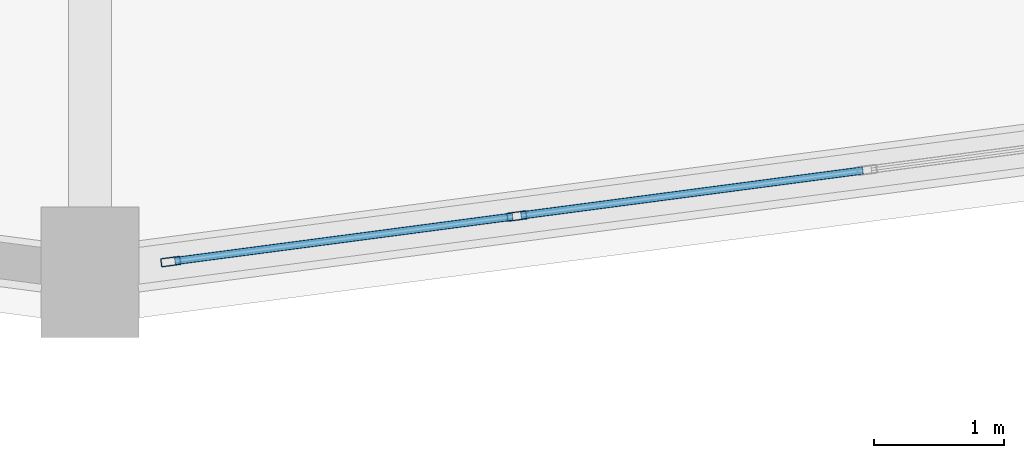
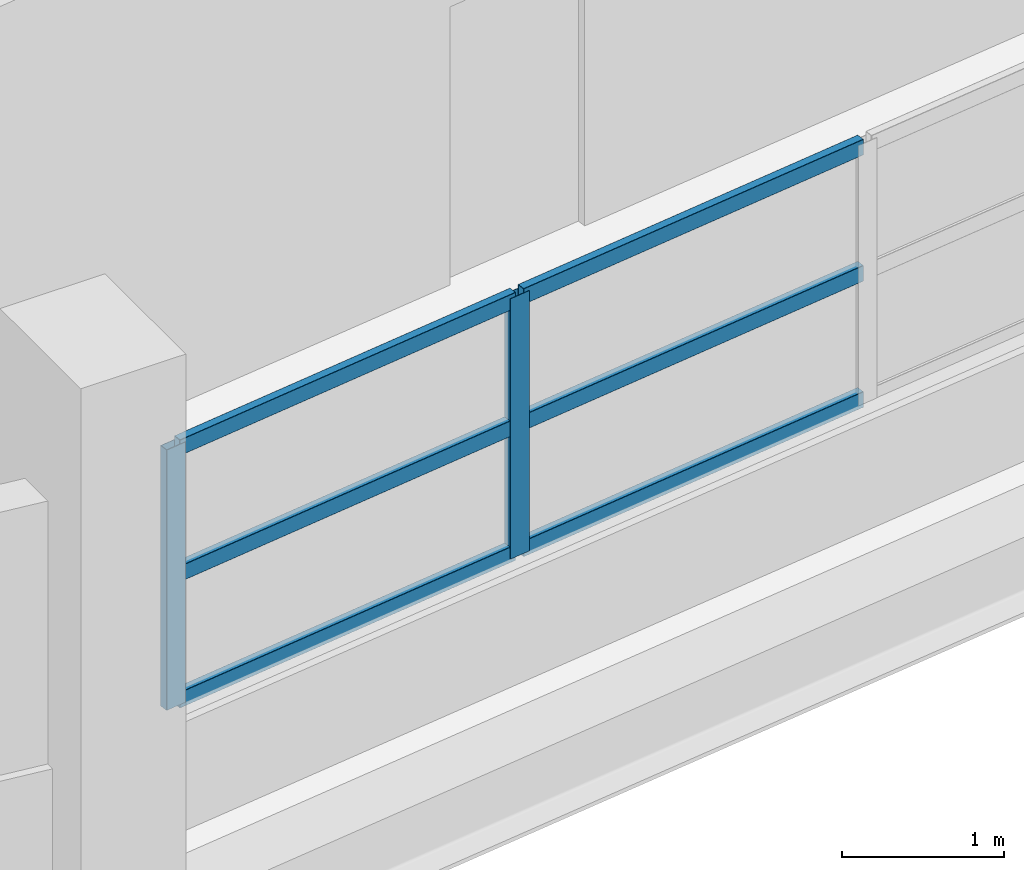
# One storey, part 36 of 108: 8 members, 1 element without a shape of its own.
"""IFC4 building model written with IfcOpenShell, lengths in metres."""

from ifc_helpers import new_model, si_unit, direction, frame, origin, origin_2d, place, context, subcontext, project, spatial, hollow_rectangle, extrude, material, layer, layer_set, material_profile, profile_set, type_object, element, aggregate, save


model = new_model("IFC4")

# Units and contexts
model_context = context("Model", 3, precision=1e-05, world=origin(), true_north=direction((0.0, 1.0)))
body_context = subcontext(model_context, "Body", "Model", "MODEL_VIEW")
ifc_project = project(units=[si_unit("LENGTHUNIT", "METRE"), si_unit("AREAUNIT", "SQUARE_METRE"), si_unit("VOLUMEUNIT", "CUBIC_METRE"), si_unit("PLANEANGLEUNIT", "RADIAN"), si_unit("MASSUNIT", "GRAM", prefix="KILO")], contexts=[model_context])

# Site, building, storey
site_placement = place(None, origin())
site = spatial("IfcSite", under=ifc_project, at=site_placement, CompositionType="ELEMENT")
building_placement = place(site_placement, origin())
building = spatial("IfcBuilding", under=site, at=building_placement, Name="Vespera Passage Community Centre", CompositionType="ELEMENT")
storey_placement = place(building_placement, frame((0.0, 0.0, 12.60009765625)))
storey = spatial("IfcBuildingStorey", under=building, at=storey_placement, Name="L03", CompositionType="ELEMENT", Elevation=12.60009765625)

# Curtain wall, members
ifc_material_1 = material(Name="Anodized aluminium 6063-T6", Category="aluminium")
ifc_layer = layer(ifc_material_1, 0.159912109375)
ifc_layer_set = layer_set([ifc_layer], Name="Anodized aluminium 6063-T6")
curtain_wall_type = type_object("IfcCurtainWallType", Name="CW-43E", PredefinedType="NOTDEFINED", material=ifc_layer_set)
curtain_wall_placement = place(storey_placement, origin())
curtain_wall = element("IfcCurtainWall", 1, at=curtain_wall_placement, inside=storey, type_object=curtain_wall_type, Name="V4 L03 Outer Ribbon Curtain Wall 18", PredefinedType="NOTDEFINED")
ifc_material_2 = material(Name="Anodized aluminium 6063-T6", Category="aluminium")
ifc_material_profile_1 = material_profile(ifc_material_2, hollow_rectangle(XDim=0.06494140625, YDim=0.14990234375, WallThickness=0.00390625, InnerFilletRadius=0.001953125, OuterFilletRadius=0.00390625, at=origin_2d()), Name="ALU150X65X4")
ifc_profile_set_1 = profile_set([ifc_material_profile_1], Name="Anodized aluminium 6063-T6")
member_type_1 = type_object("IfcMemberType", Name="MB-CWM-150E", PredefinedType="MULLION", material=ifc_profile_set_1)
member_1_placement = place(storey_placement, frame((81.277099609375, 19.831298828125, 0.81982421875), z_axis=(0.0, 0.0, 1.0), x_axis=(0.130530818696, -0.991444252276, 0.0)))
member_1 = element("IfcMember", 2, at=member_1_placement, type_object=member_type_1, Name="CW-43E mullion 4", PredefinedType="MULLION", context=body_context, shape_type="SweptSolid", body=[
    extrude(hollow_rectangle(XDim=0.06494140625, YDim=0.14990234375, WallThickness=0.00390625, InnerFilletRadius=0.001953125, OuterFilletRadius=0.00390625, at=origin_2d()), origin(), (0.0, 0.0, 1.0), 1.965576171875),
])
member_2_placement = place(storey_placement, frame((78.620361328125, 19.481689453125, 0.81982421875), z_axis=(0.0, 0.0, 1.0), x_axis=(0.130530818696, -0.991444252276, 0.0)))
member_2 = element("IfcMember", 3, at=member_2_placement, type_object=member_type_1, Name="CW-43E mullion 5", PredefinedType="MULLION", context=body_context, shape_type="SweptSolid", body=[
    extrude(hollow_rectangle(XDim=0.06494140625, YDim=0.14990234375, WallThickness=0.00390625, InnerFilletRadius=0.001953125, OuterFilletRadius=0.00390625, at=origin_2d()), origin(), (0.0, 0.0, 1.0), 1.965576171875),
])
ifc_material_3 = material(Name="Anodized aluminium 6063-T6", Category="aluminium")
ifc_material_profile_2 = material_profile(ifc_material_3, hollow_rectangle(XDim=0.06005859375, YDim=0.1201171875, WallThickness=0.00390625, InnerFilletRadius=0.001953125, OuterFilletRadius=0.00390625, at=origin_2d()), Name="ALU120X60X4")
ifc_profile_set_2 = profile_set([ifc_material_profile_2], Name="Anodized aluminium 6063-T6")
member_type_2 = type_object("IfcMemberType", Name="MB-CWT-120E", PredefinedType="USERDEFINED", material=ifc_profile_set_2)
member_3_placement = place(storey_placement, frame((83.93359375, 20.18115234375, 0.849853515625), z_axis=(-0.991446445198, -0.130514161313, 0.0), x_axis=(0.130514161313, -0.991446445198, 0.0)))
member_3 = element("IfcMember", 4, at=member_3_placement, type_object=member_type_2, Name="CW-43E transom 3.1", ObjectType="TRANSOM", PredefinedType="USERDEFINED", context=body_context, shape_type="SweptSolid", body=[
    extrude(hollow_rectangle(XDim=0.06005859375, YDim=0.1201171875, WallThickness=0.00390625, InnerFilletRadius=0.001953125, OuterFilletRadius=0.00390625, at=origin_2d()), origin(), (0.0, 0.0, 1.0), 2.64697265625),
])
member_4_placement = place(storey_placement, frame((83.93359375, 20.18115234375, 1.802734375), z_axis=(-0.991446445198, -0.130514161313, 0.0), x_axis=(0.130514161313, -0.991446445198, 0.0)))
member_4 = element("IfcMember", 5, at=member_4_placement, type_object=member_type_2, Name="CW-43E transom 3.2", ObjectType="TRANSOM", PredefinedType="USERDEFINED", context=body_context, shape_type="SweptSolid", body=[
    extrude(hollow_rectangle(XDim=0.06005859375, YDim=0.1201171875, WallThickness=0.00390625, InnerFilletRadius=0.001953125, OuterFilletRadius=0.00390625, at=origin_2d()), origin(), (0.0, 0.0, 1.0), 2.64697265625),
])
member_5_placement = place(storey_placement, frame((83.93359375, 20.18115234375, 2.755615234375), z_axis=(-0.991446445198, -0.130514161313, 0.0), x_axis=(0.130514161313, -0.991446445198, 0.0)))
member_5 = element("IfcMember", 6, at=member_5_placement, type_object=member_type_2, Name="CW-43E transom 3.3", ObjectType="TRANSOM", PredefinedType="USERDEFINED", context=body_context, shape_type="SweptSolid", body=[
    extrude(hollow_rectangle(XDim=0.06005859375, YDim=0.1201171875, WallThickness=0.00390625, InnerFilletRadius=0.001953125, OuterFilletRadius=0.00390625, at=origin_2d()), origin(), (0.0, 0.0, 1.0), 2.64697265625),
])
member_6_placement = place(storey_placement, frame((81.244873046875, 19.8271484375, 0.849853515625), z_axis=(-0.991443486455, -0.130536635342, 0.0), x_axis=(0.130536635342, -0.991443486455, 0.0)))
member_6 = element("IfcMember", 7, at=member_6_placement, type_object=member_type_2, Name="CW-43E transom 4.1", ObjectType="TRANSOM", PredefinedType="USERDEFINED", context=body_context, shape_type="SweptSolid", body=[
    extrude(hollow_rectangle(XDim=0.06005859375, YDim=0.1201171875, WallThickness=0.00390625, InnerFilletRadius=0.001953125, OuterFilletRadius=0.00390625, at=origin_2d()), origin(), (0.0, 0.0, 1.0), 2.61474609375),
])
member_7_placement = place(storey_placement, frame((81.244873046875, 19.8271484375, 1.802734375), z_axis=(-0.991443486455, -0.130536635342, 0.0), x_axis=(0.130536635342, -0.991443486455, 0.0)))
member_7 = element("IfcMember", 8, at=member_7_placement, type_object=member_type_2, Name="CW-43E transom 4.2", ObjectType="TRANSOM", PredefinedType="USERDEFINED", context=body_context, shape_type="SweptSolid", body=[
    extrude(hollow_rectangle(XDim=0.06005859375, YDim=0.1201171875, WallThickness=0.00390625, InnerFilletRadius=0.001953125, OuterFilletRadius=0.00390625, at=origin_2d()), origin(), (0.0, 0.0, 1.0), 2.61474609375),
])
member_8_placement = place(storey_placement, frame((81.244873046875, 19.8271484375, 2.755615234375), z_axis=(-0.991443486455, -0.130536635342, 0.0), x_axis=(0.130536635342, -0.991443486455, 0.0)))
member_8 = element("IfcMember", 9, at=member_8_placement, type_object=member_type_2, Name="CW-43E transom 4.3", ObjectType="TRANSOM", PredefinedType="USERDEFINED", context=body_context, shape_type="SweptSolid", body=[
    extrude(hollow_rectangle(XDim=0.06005859375, YDim=0.1201171875, WallThickness=0.00390625, InnerFilletRadius=0.001953125, OuterFilletRadius=0.00390625, at=origin_2d()), origin(), (0.0, 0.0, 1.0), 2.61474609375),
])
aggregate(curtain_wall, [member_1, member_2, member_3, member_4, member_5, member_6, member_7, member_8])

save(model, "model.ifc")
